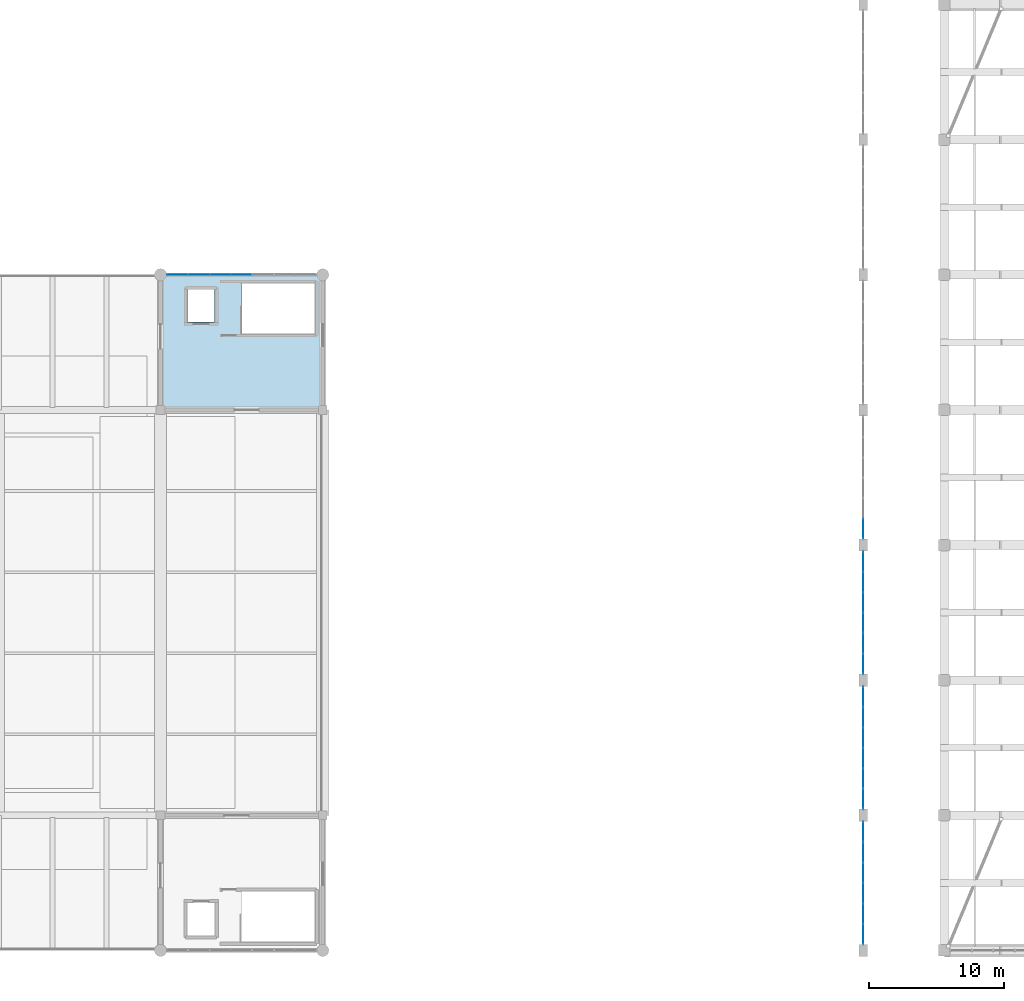
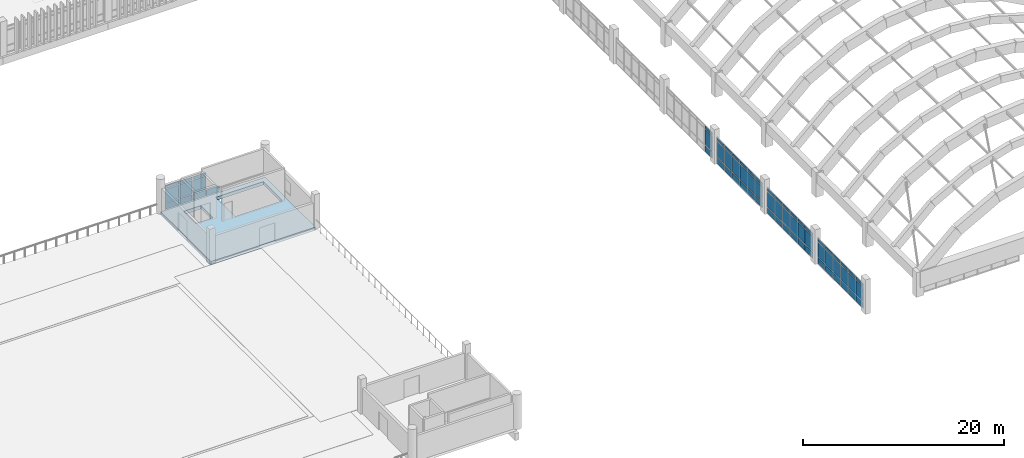
# One storey, part 91 of 111: 67 plates, 1 slab, 5 elements without a shape of their own.
"""IFC4 building model written with IfcOpenShell, lengths in metres."""

from ifc_helpers import new_model, si_unit, direction, frame, origin, origin_2d, place, context, subcontext, project, spatial, polyline, rectangle, outline, extrude, material, layer, layer_set, type_object, element, aggregate, save


model = new_model("IFC4")

# Units and contexts
model_context = context("Model", 3, precision=1e-05, world=origin(), true_north=direction((0.0, 1.0)))
body_context = subcontext(model_context, "Body", "Model", "MODEL_VIEW")
ifc_project = project(units=[si_unit("LENGTHUNIT", "METRE"), si_unit("AREAUNIT", "SQUARE_METRE"), si_unit("VOLUMEUNIT", "CUBIC_METRE"), si_unit("PLANEANGLEUNIT", "RADIAN"), si_unit("MASSUNIT", "GRAM", prefix="KILO")], contexts=[model_context])

# Site, building, storey
site_placement = place(None, origin())
site = spatial("IfcSite", under=ifc_project, at=site_placement, CompositionType="ELEMENT")
building_placement = place(site_placement, origin())
building = spatial("IfcBuilding", under=site, at=building_placement, Name="Mersad Railyard Sports Hall", CompositionType="ELEMENT")
storey_placement = place(building_placement, frame((0.0, 0.0, 9.0)))
storey = spatial("IfcBuildingStorey", under=building, at=storey_placement, Name="L02", CompositionType="ELEMENT", Elevation=9.0)

# Curtain wall, plates
ifc_material_1 = material(Name="Aluminium 6063-T6", Category="aluminium")
ifc_layer_1 = layer(ifc_material_1, 0.159912109375)
ifc_layer_set_1 = layer_set([ifc_layer_1], Name="Aluminium 6063-T6")
curtain_wall_type_1 = type_object("IfcCurtainWallType", Name="ARC-CW-CW06", PredefinedType="USERDEFINED", material=ifc_layer_set_1)
curtain_wall_1_placement = place(storey_placement, origin())
curtain_wall_1 = element("IfcCurtainWall", 1, at=curtain_wall_1_placement, inside=storey, type_object=curtain_wall_type_1, Name="Curtain wall CW06-0032", ObjectType="CURTAIN WALL", PredefinedType="USERDEFINED")
ifc_material_2 = material(Name="Solar-control glass", Category="glass")
ifc_layer_2 = layer(ifc_material_2, 0.028076171875)
ifc_layer_set_2 = layer_set([ifc_layer_2], Name="Solar-control glass")
plate_type = type_object("IfcPlateType", Name="ARC-CW-PNL01", PredefinedType="CURTAIN_PANEL", material=ifc_layer_set_2)
plate_1_placement = place(storey_placement, frame((80.260009765625, 53.5, 0.0849609375), z_axis=(0.0, 0.0, 1.0), x_axis=(1.0, 0.0, 0.0)))
plate_1 = element("IfcPlate", 2, at=plate_1_placement, type_object=plate_type, Name="CW06 Glazed panel 1-1", PredefinedType="CURTAIN_PANEL", context=body_context, shape_type="SweptSolid", body=[
    extrude(rectangle(XDim=1.535888671875, YDim=0.028076171875, at=origin_2d()), origin(), (0.0, 0.0, 1.0), 0.719970703125),
])
plate_2_placement = place(storey_placement, frame((80.260009765625, 53.5, 0.89501953125), z_axis=(0.0, 0.0, 1.0), x_axis=(1.0, 0.0, 0.0)))
plate_2 = element("IfcPlate", 3, at=plate_2_placement, type_object=plate_type, Name="CW06 Glazed panel 1-2", PredefinedType="CURTAIN_PANEL", context=body_context, shape_type="SweptSolid", body=[
    extrude(rectangle(XDim=1.535888671875, YDim=0.028076171875, at=origin_2d()), origin(), (0.0, 0.0, 1.0), 1.610107421875),
])
plate_3_placement = place(storey_placement, frame((80.260009765625, 53.5, 2.594970703125), z_axis=(0.0, 0.0, 1.0), x_axis=(1.0, 0.0, 0.0)))
plate_3 = element("IfcPlate", 4, at=plate_3_placement, type_object=plate_type, Name="CW06 Glazed panel 1-3", PredefinedType="CURTAIN_PANEL", context=body_context, shape_type="SweptSolid", body=[
    extrude(rectangle(XDim=1.535888671875, YDim=0.028076171875, at=origin_2d()), origin(), (0.0, 0.0, 1.0), 0.35009765625),
])
plate_4_placement = place(storey_placement, frame((81.840087890625, 53.5, 0.0849609375), z_axis=(0.0, 0.0, 1.0), x_axis=(1.0, 0.0, 0.0)))
plate_4 = element("IfcPlate", 5, at=plate_4_placement, type_object=plate_type, Name="CW06 Glazed panel 2-1", PredefinedType="CURTAIN_PANEL", context=body_context, shape_type="SweptSolid", body=[
    extrude(rectangle(XDim=1.535888671875, YDim=0.028076171875, at=origin_2d()), origin(), (0.0, 0.0, 1.0), 0.719970703125),
])
plate_5_placement = place(storey_placement, frame((81.840087890625, 53.5, 0.89501953125), z_axis=(0.0, 0.0, 1.0), x_axis=(1.0, 0.0, 0.0)))
plate_5 = element("IfcPlate", 6, at=plate_5_placement, type_object=plate_type, Name="CW06 Glazed panel 2-2", PredefinedType="CURTAIN_PANEL", context=body_context, shape_type="SweptSolid", body=[
    extrude(rectangle(XDim=1.535888671875, YDim=0.028076171875, at=origin_2d()), origin(), (0.0, 0.0, 1.0), 1.610107421875),
])
plate_6_placement = place(storey_placement, frame((81.840087890625, 53.5, 2.594970703125), z_axis=(0.0, 0.0, 1.0), x_axis=(1.0, 0.0, 0.0)))
plate_6 = element("IfcPlate", 7, at=plate_6_placement, type_object=plate_type, Name="CW06 Glazed panel 2-3", PredefinedType="CURTAIN_PANEL", context=body_context, shape_type="SweptSolid", body=[
    extrude(rectangle(XDim=1.535888671875, YDim=0.028076171875, at=origin_2d()), origin(), (0.0, 0.0, 1.0), 0.35009765625),
])
plate_7_placement = place(storey_placement, frame((83.419921875, 53.5, 0.0849609375), z_axis=(0.0, 0.0, 1.0), x_axis=(1.0, 0.0, 0.0)))
plate_7 = element("IfcPlate", 8, at=plate_7_placement, type_object=plate_type, Name="CW06 Glazed panel 3-1", PredefinedType="CURTAIN_PANEL", context=body_context, shape_type="SweptSolid", body=[
    extrude(rectangle(XDim=1.535888671875, YDim=0.028076171875, at=origin_2d()), origin(), (0.0, 0.0, 1.0), 0.719970703125),
])
plate_8_placement = place(storey_placement, frame((83.419921875, 53.5, 0.89501953125), z_axis=(0.0, 0.0, 1.0), x_axis=(1.0, 0.0, 0.0)))
plate_8 = element("IfcPlate", 9, at=plate_8_placement, type_object=plate_type, Name="CW06 Glazed panel 3-2", PredefinedType="CURTAIN_PANEL", context=body_context, shape_type="SweptSolid", body=[
    extrude(rectangle(XDim=1.535888671875, YDim=0.028076171875, at=origin_2d()), origin(), (0.0, 0.0, 1.0), 1.610107421875),
])
plate_9_placement = place(storey_placement, frame((83.419921875, 53.5, 2.594970703125), z_axis=(0.0, 0.0, 1.0), x_axis=(1.0, 0.0, 0.0)))
plate_9 = element("IfcPlate", 10, at=plate_9_placement, type_object=plate_type, Name="CW06 Glazed panel 3-3", PredefinedType="CURTAIN_PANEL", context=body_context, shape_type="SweptSolid", body=[
    extrude(rectangle(XDim=1.535888671875, YDim=0.028076171875, at=origin_2d()), origin(), (0.0, 0.0, 1.0), 0.35009765625),
])
plate_10_placement = place(storey_placement, frame((85.0, 53.5, 0.0849609375), z_axis=(0.0, 0.0, 1.0), x_axis=(1.0, 0.0, 0.0)))
plate_10 = element("IfcPlate", 11, at=plate_10_placement, type_object=plate_type, Name="CW06 Glazed panel 4-1", PredefinedType="CURTAIN_PANEL", context=body_context, shape_type="SweptSolid", body=[
    extrude(rectangle(XDim=1.535888671875, YDim=0.028076171875, at=origin_2d()), origin(), (0.0, 0.0, 1.0), 0.719970703125),
])
aggregate(curtain_wall_1, [plate_1, plate_2, plate_3, plate_4, plate_5, plate_6, plate_7, plate_8, plate_9, plate_10])

ifc_layer_3 = layer(ifc_material_1, 0.159912109375)
ifc_layer_set_3 = layer_set([ifc_layer_3], Name="Aluminium 6063-T6")
curtain_wall_type_2 = type_object("IfcCurtainWallType", Name="ARC-CW-CW15", PredefinedType="USERDEFINED", material=ifc_layer_set_3)
curtain_wall_2_placement = place(storey_placement, origin())
curtain_wall_2 = element("IfcCurtainWall", 12, at=curtain_wall_2_placement, inside=storey, type_object=curtain_wall_type_2, Name="Curtain wall CW15-0065", ObjectType="CURTAIN WALL", PredefinedType="USERDEFINED")
plate_11_placement = place(storey_placement, frame((131.0, 4.72509765625, 0.0849609375), z_axis=(0.0, 0.0, 1.0), x_axis=(0.0, 1.0, 0.0)))
plate_11 = element("IfcPlate", 13, at=plate_11_placement, type_object=plate_type, Name="CW15 Glazed panel 1-1", PredefinedType="CURTAIN_PANEL", context=body_context, shape_type="SweptSolid", body=[
    extrude(rectangle(XDim=1.466064453125, YDim=0.028076171875, at=origin_2d()), origin(), (0.0, 0.0, 1.0), 0.719970703125),
])
plate_12_placement = place(storey_placement, frame((131.0, 4.72509765625, 0.89501953125), z_axis=(0.0, 0.0, 1.0), x_axis=(0.0, 1.0, 0.0)))
plate_12 = element("IfcPlate", 14, at=plate_12_placement, type_object=plate_type, Name="CW15 Glazed panel 1-2", PredefinedType="CURTAIN_PANEL", context=body_context, shape_type="SweptSolid", body=[
    extrude(rectangle(XDim=1.466064453125, YDim=0.028076171875, at=origin_2d()), origin(), (0.0, 0.0, 1.0), 1.760009765625),
])
plate_13_placement = place(storey_placement, frame((131.0, 4.72509765625, 2.744873046875), z_axis=(0.0, 0.0, 1.0), x_axis=(0.0, 1.0, 0.0)))
plate_13 = element("IfcPlate", 15, at=plate_13_placement, type_object=plate_type, Name="CW15 Glazed panel 1-3", PredefinedType="CURTAIN_PANEL", context=body_context, shape_type="SweptSolid", body=[
    extrude(rectangle(XDim=1.466064453125, YDim=0.028076171875, at=origin_2d()), origin(), (0.0, 0.0, 1.0), 0.35009765625),
])
plate_14_placement = place(storey_placement, frame((131.0, 6.235107421875, 0.0849609375), z_axis=(0.0, 0.0, 1.0), x_axis=(0.0, 1.0, 0.0)))
plate_14 = element("IfcPlate", 16, at=plate_14_placement, type_object=plate_type, Name="CW15 Glazed panel 2-1", PredefinedType="CURTAIN_PANEL", context=body_context, shape_type="SweptSolid", body=[
    extrude(rectangle(XDim=1.466064453125, YDim=0.028076171875, at=origin_2d()), origin(), (0.0, 0.0, 1.0), 0.719970703125),
])
plate_15_placement = place(storey_placement, frame((131.0, 6.235107421875, 0.89501953125), z_axis=(0.0, 0.0, 1.0), x_axis=(0.0, 1.0, 0.0)))
plate_15 = element("IfcPlate", 17, at=plate_15_placement, type_object=plate_type, Name="CW15 Glazed panel 2-2", PredefinedType="CURTAIN_PANEL", context=body_context, shape_type="SweptSolid", body=[
    extrude(rectangle(XDim=1.466064453125, YDim=0.028076171875, at=origin_2d()), origin(), (0.0, 0.0, 1.0), 1.760009765625),
])
plate_16_placement = place(storey_placement, frame((131.0, 6.235107421875, 2.744873046875), z_axis=(0.0, 0.0, 1.0), x_axis=(0.0, 1.0, 0.0)))
plate_16 = element("IfcPlate", 18, at=plate_16_placement, type_object=plate_type, Name="CW15 Glazed panel 2-3", PredefinedType="CURTAIN_PANEL", context=body_context, shape_type="SweptSolid", body=[
    extrude(rectangle(XDim=1.466064453125, YDim=0.028076171875, at=origin_2d()), origin(), (0.0, 0.0, 1.0), 0.35009765625),
])
plate_17_placement = place(storey_placement, frame((131.0, 7.7451171875, 0.0849609375), z_axis=(0.0, 0.0, 1.0), x_axis=(0.0, 1.0, 0.0)))
plate_17 = element("IfcPlate", 19, at=plate_17_placement, type_object=plate_type, Name="CW15 Glazed panel 3-1", PredefinedType="CURTAIN_PANEL", context=body_context, shape_type="SweptSolid", body=[
    extrude(rectangle(XDim=1.466064453125, YDim=0.028076171875, at=origin_2d()), origin(), (0.0, 0.0, 1.0), 0.719970703125),
])
plate_18_placement = place(storey_placement, frame((131.0, 7.7451171875, 0.89501953125), z_axis=(0.0, 0.0, 1.0), x_axis=(0.0, 1.0, 0.0)))
plate_18 = element("IfcPlate", 20, at=plate_18_placement, type_object=plate_type, Name="CW15 Glazed panel 3-2", PredefinedType="CURTAIN_PANEL", context=body_context, shape_type="SweptSolid", body=[
    extrude(rectangle(XDim=1.466064453125, YDim=0.028076171875, at=origin_2d()), origin(), (0.0, 0.0, 1.0), 1.760009765625),
])
plate_19_placement = place(storey_placement, frame((131.0, 7.7451171875, 2.744873046875), z_axis=(0.0, 0.0, 1.0), x_axis=(0.0, 1.0, 0.0)))
plate_19 = element("IfcPlate", 21, at=plate_19_placement, type_object=plate_type, Name="CW15 Glazed panel 3-3", PredefinedType="CURTAIN_PANEL", context=body_context, shape_type="SweptSolid", body=[
    extrude(rectangle(XDim=1.466064453125, YDim=0.028076171875, at=origin_2d()), origin(), (0.0, 0.0, 1.0), 0.35009765625),
])
plate_20_placement = place(storey_placement, frame((131.0, 9.2548828125, 0.0849609375), z_axis=(0.0, 0.0, 1.0), x_axis=(0.0, 1.0, 0.0)))
plate_20 = element("IfcPlate", 22, at=plate_20_placement, type_object=plate_type, Name="CW15 Glazed panel 4-1", PredefinedType="CURTAIN_PANEL", context=body_context, shape_type="SweptSolid", body=[
    extrude(rectangle(XDim=1.466064453125, YDim=0.028076171875, at=origin_2d()), origin(), (0.0, 0.0, 1.0), 0.719970703125),
])
plate_21_placement = place(storey_placement, frame((131.0, 9.2548828125, 0.89501953125), z_axis=(0.0, 0.0, 1.0), x_axis=(0.0, 1.0, 0.0)))
plate_21 = element("IfcPlate", 23, at=plate_21_placement, type_object=plate_type, Name="CW15 Glazed panel 4-2", PredefinedType="CURTAIN_PANEL", context=body_context, shape_type="SweptSolid", body=[
    extrude(rectangle(XDim=1.466064453125, YDim=0.028076171875, at=origin_2d()), origin(), (0.0, 0.0, 1.0), 1.760009765625),
])
plate_22_placement = place(storey_placement, frame((131.0, 9.2548828125, 2.744873046875), z_axis=(0.0, 0.0, 1.0), x_axis=(0.0, 1.0, 0.0)))
plate_22 = element("IfcPlate", 24, at=plate_22_placement, type_object=plate_type, Name="CW15 Glazed panel 4-3", PredefinedType="CURTAIN_PANEL", context=body_context, shape_type="SweptSolid", body=[
    extrude(rectangle(XDim=1.466064453125, YDim=0.028076171875, at=origin_2d()), origin(), (0.0, 0.0, 1.0), 0.35009765625),
])
plate_23_placement = place(storey_placement, frame((131.0, 10.764892578125, 0.0849609375), z_axis=(0.0, 0.0, 1.0), x_axis=(0.0, 1.0, 0.0)))
plate_23 = element("IfcPlate", 25, at=plate_23_placement, type_object=plate_type, Name="CW15 Glazed panel 5-1", PredefinedType="CURTAIN_PANEL", context=body_context, shape_type="SweptSolid", body=[
    extrude(rectangle(XDim=1.466064453125, YDim=0.028076171875, at=origin_2d()), origin(), (0.0, 0.0, 1.0), 0.719970703125),
])
plate_24_placement = place(storey_placement, frame((131.0, 10.764892578125, 0.89501953125), z_axis=(0.0, 0.0, 1.0), x_axis=(0.0, 1.0, 0.0)))
plate_24 = element("IfcPlate", 26, at=plate_24_placement, type_object=plate_type, Name="CW15 Glazed panel 5-2", PredefinedType="CURTAIN_PANEL", context=body_context, shape_type="SweptSolid", body=[
    extrude(rectangle(XDim=1.466064453125, YDim=0.028076171875, at=origin_2d()), origin(), (0.0, 0.0, 1.0), 1.760009765625),
])
plate_25_placement = place(storey_placement, frame((131.0, 10.764892578125, 2.744873046875), z_axis=(0.0, 0.0, 1.0), x_axis=(0.0, 1.0, 0.0)))
plate_25 = element("IfcPlate", 27, at=plate_25_placement, type_object=plate_type, Name="CW15 Glazed panel 5-3", PredefinedType="CURTAIN_PANEL", context=body_context, shape_type="SweptSolid", body=[
    extrude(rectangle(XDim=1.466064453125, YDim=0.028076171875, at=origin_2d()), origin(), (0.0, 0.0, 1.0), 0.35009765625),
])
plate_26_placement = place(storey_placement, frame((131.0, 12.27490234375, 0.0849609375), z_axis=(0.0, 0.0, 1.0), x_axis=(0.0, 1.0, 0.0)))
plate_26 = element("IfcPlate", 28, at=plate_26_placement, type_object=plate_type, Name="CW15 Glazed panel 6-1", PredefinedType="CURTAIN_PANEL", context=body_context, shape_type="SweptSolid", body=[
    extrude(rectangle(XDim=1.466064453125, YDim=0.028076171875, at=origin_2d()), origin(), (0.0, 0.0, 1.0), 0.719970703125),
])
plate_27_placement = place(storey_placement, frame((131.0, 12.27490234375, 0.89501953125), z_axis=(0.0, 0.0, 1.0), x_axis=(0.0, 1.0, 0.0)))
plate_27 = element("IfcPlate", 29, at=plate_27_placement, type_object=plate_type, Name="CW15 Glazed panel 6-2", PredefinedType="CURTAIN_PANEL", context=body_context, shape_type="SweptSolid", body=[
    extrude(rectangle(XDim=1.466064453125, YDim=0.028076171875, at=origin_2d()), origin(), (0.0, 0.0, 1.0), 1.760009765625),
])
plate_28_placement = place(storey_placement, frame((131.0, 12.27490234375, 2.744873046875), z_axis=(0.0, 0.0, 1.0), x_axis=(0.0, 1.0, 0.0)))
plate_28 = element("IfcPlate", 30, at=plate_28_placement, type_object=plate_type, Name="CW15 Glazed panel 6-3", PredefinedType="CURTAIN_PANEL", context=body_context, shape_type="SweptSolid", body=[
    extrude(rectangle(XDim=1.466064453125, YDim=0.028076171875, at=origin_2d()), origin(), (0.0, 0.0, 1.0), 0.35009765625),
])
aggregate(curtain_wall_2, [plate_11, plate_12, plate_13, plate_14, plate_15, plate_16, plate_17, plate_18, plate_19, plate_20, plate_21, plate_22, plate_23, plate_24, plate_25, plate_26, plate_27, plate_28])

ifc_layer_4 = layer(ifc_material_1, 0.159912109375)
ifc_layer_set_4 = layer_set([ifc_layer_4], Name="Aluminium 6063-T6")
curtain_wall_type_3 = type_object("IfcCurtainWallType", Name="ARC-CW-CW16", PredefinedType="USERDEFINED", material=ifc_layer_set_4)
curtain_wall_3_placement = place(storey_placement, origin())
curtain_wall_3 = element("IfcCurtainWall", 31, at=curtain_wall_3_placement, inside=storey, type_object=curtain_wall_type_3, Name="Curtain wall CW16-0067", ObjectType="CURTAIN WALL", PredefinedType="USERDEFINED")
plate_29_placement = place(storey_placement, frame((131.0, 14.72509765625, 0.0849609375), z_axis=(0.0, 0.0, 1.0), x_axis=(0.0, 1.0, 0.0)))
plate_29 = element("IfcPlate", 32, at=plate_29_placement, type_object=plate_type, Name="CW16 Glazed panel 1-1", PredefinedType="CURTAIN_PANEL", context=body_context, shape_type="SweptSolid", body=[
    extrude(rectangle(XDim=1.466064453125, YDim=0.028076171875, at=origin_2d()), origin(), (0.0, 0.0, 1.0), 0.719970703125),
])
plate_30_placement = place(storey_placement, frame((131.0, 14.72509765625, 0.89501953125), z_axis=(0.0, 0.0, 1.0), x_axis=(0.0, 1.0, 0.0)))
plate_30 = element("IfcPlate", 33, at=plate_30_placement, type_object=plate_type, Name="CW16 Glazed panel 1-2", PredefinedType="CURTAIN_PANEL", context=body_context, shape_type="SweptSolid", body=[
    extrude(rectangle(XDim=1.466064453125, YDim=0.028076171875, at=origin_2d()), origin(), (0.0, 0.0, 1.0), 1.800048828125),
])
plate_31_placement = place(storey_placement, frame((131.0, 14.72509765625, 2.784912109375), z_axis=(0.0, 0.0, 1.0), x_axis=(0.0, 1.0, 0.0)))
plate_31 = element("IfcPlate", 34, at=plate_31_placement, type_object=plate_type, Name="CW16 Glazed panel 1-3", PredefinedType="CURTAIN_PANEL", context=body_context, shape_type="SweptSolid", body=[
    extrude(rectangle(XDim=1.466064453125, YDim=0.028076171875, at=origin_2d()), origin(), (0.0, 0.0, 1.0), 0.35009765625),
])
plate_32_placement = place(storey_placement, frame((131.0, 16.235107421875, 0.0849609375), z_axis=(0.0, 0.0, 1.0), x_axis=(0.0, 1.0, 0.0)))
plate_32 = element("IfcPlate", 35, at=plate_32_placement, type_object=plate_type, Name="CW16 Glazed panel 2-1", PredefinedType="CURTAIN_PANEL", context=body_context, shape_type="SweptSolid", body=[
    extrude(rectangle(XDim=1.466064453125, YDim=0.028076171875, at=origin_2d()), origin(), (0.0, 0.0, 1.0), 0.719970703125),
])
plate_33_placement = place(storey_placement, frame((131.0, 16.235107421875, 0.89501953125), z_axis=(0.0, 0.0, 1.0), x_axis=(0.0, 1.0, 0.0)))
plate_33 = element("IfcPlate", 36, at=plate_33_placement, type_object=plate_type, Name="CW16 Glazed panel 2-2", PredefinedType="CURTAIN_PANEL", context=body_context, shape_type="SweptSolid", body=[
    extrude(rectangle(XDim=1.466064453125, YDim=0.028076171875, at=origin_2d()), origin(), (0.0, 0.0, 1.0), 1.800048828125),
])
plate_34_placement = place(storey_placement, frame((131.0, 16.235107421875, 2.784912109375), z_axis=(0.0, 0.0, 1.0), x_axis=(0.0, 1.0, 0.0)))
plate_34 = element("IfcPlate", 37, at=plate_34_placement, type_object=plate_type, Name="CW16 Glazed panel 2-3", PredefinedType="CURTAIN_PANEL", context=body_context, shape_type="SweptSolid", body=[
    extrude(rectangle(XDim=1.466064453125, YDim=0.028076171875, at=origin_2d()), origin(), (0.0, 0.0, 1.0), 0.35009765625),
])
plate_35_placement = place(storey_placement, frame((131.0, 17.7451171875, 0.0849609375), z_axis=(0.0, 0.0, 1.0), x_axis=(0.0, 1.0, 0.0)))
plate_35 = element("IfcPlate", 38, at=plate_35_placement, type_object=plate_type, Name="CW16 Glazed panel 3-1", PredefinedType="CURTAIN_PANEL", context=body_context, shape_type="SweptSolid", body=[
    extrude(rectangle(XDim=1.466064453125, YDim=0.028076171875, at=origin_2d()), origin(), (0.0, 0.0, 1.0), 0.719970703125),
])
plate_36_placement = place(storey_placement, frame((131.0, 17.7451171875, 0.89501953125), z_axis=(0.0, 0.0, 1.0), x_axis=(0.0, 1.0, 0.0)))
plate_36 = element("IfcPlate", 39, at=plate_36_placement, type_object=plate_type, Name="CW16 Glazed panel 3-2", PredefinedType="CURTAIN_PANEL", context=body_context, shape_type="SweptSolid", body=[
    extrude(rectangle(XDim=1.466064453125, YDim=0.028076171875, at=origin_2d()), origin(), (0.0, 0.0, 1.0), 1.800048828125),
])
plate_37_placement = place(storey_placement, frame((131.0, 17.7451171875, 2.784912109375), z_axis=(0.0, 0.0, 1.0), x_axis=(0.0, 1.0, 0.0)))
plate_37 = element("IfcPlate", 40, at=plate_37_placement, type_object=plate_type, Name="CW16 Glazed panel 3-3", PredefinedType="CURTAIN_PANEL", context=body_context, shape_type="SweptSolid", body=[
    extrude(rectangle(XDim=1.466064453125, YDim=0.028076171875, at=origin_2d()), origin(), (0.0, 0.0, 1.0), 0.35009765625),
])
plate_38_placement = place(storey_placement, frame((131.0, 19.2548828125, 0.0849609375), z_axis=(0.0, 0.0, 1.0), x_axis=(0.0, 1.0, 0.0)))
plate_38 = element("IfcPlate", 41, at=plate_38_placement, type_object=plate_type, Name="CW16 Glazed panel 4-1", PredefinedType="CURTAIN_PANEL", context=body_context, shape_type="SweptSolid", body=[
    extrude(rectangle(XDim=1.466064453125, YDim=0.028076171875, at=origin_2d()), origin(), (0.0, 0.0, 1.0), 0.719970703125),
])
plate_39_placement = place(storey_placement, frame((131.0, 19.2548828125, 0.89501953125), z_axis=(0.0, 0.0, 1.0), x_axis=(0.0, 1.0, 0.0)))
plate_39 = element("IfcPlate", 42, at=plate_39_placement, type_object=plate_type, Name="CW16 Glazed panel 4-2", PredefinedType="CURTAIN_PANEL", context=body_context, shape_type="SweptSolid", body=[
    extrude(rectangle(XDim=1.466064453125, YDim=0.028076171875, at=origin_2d()), origin(), (0.0, 0.0, 1.0), 1.800048828125),
])
plate_40_placement = place(storey_placement, frame((131.0, 19.2548828125, 2.784912109375), z_axis=(0.0, 0.0, 1.0), x_axis=(0.0, 1.0, 0.0)))
plate_40 = element("IfcPlate", 43, at=plate_40_placement, type_object=plate_type, Name="CW16 Glazed panel 4-3", PredefinedType="CURTAIN_PANEL", context=body_context, shape_type="SweptSolid", body=[
    extrude(rectangle(XDim=1.466064453125, YDim=0.028076171875, at=origin_2d()), origin(), (0.0, 0.0, 1.0), 0.35009765625),
])
plate_41_placement = place(storey_placement, frame((131.0, 20.764892578125, 0.0849609375), z_axis=(0.0, 0.0, 1.0), x_axis=(0.0, 1.0, 0.0)))
plate_41 = element("IfcPlate", 44, at=plate_41_placement, type_object=plate_type, Name="CW16 Glazed panel 5-1", PredefinedType="CURTAIN_PANEL", context=body_context, shape_type="SweptSolid", body=[
    extrude(rectangle(XDim=1.466064453125, YDim=0.028076171875, at=origin_2d()), origin(), (0.0, 0.0, 1.0), 0.719970703125),
])
plate_42_placement = place(storey_placement, frame((131.0, 20.764892578125, 0.89501953125), z_axis=(0.0, 0.0, 1.0), x_axis=(0.0, 1.0, 0.0)))
plate_42 = element("IfcPlate", 45, at=plate_42_placement, type_object=plate_type, Name="CW16 Glazed panel 5-2", PredefinedType="CURTAIN_PANEL", context=body_context, shape_type="SweptSolid", body=[
    extrude(rectangle(XDim=1.466064453125, YDim=0.028076171875, at=origin_2d()), origin(), (0.0, 0.0, 1.0), 1.800048828125),
])
plate_43_placement = place(storey_placement, frame((131.0, 20.764892578125, 2.784912109375), z_axis=(0.0, 0.0, 1.0), x_axis=(0.0, 1.0, 0.0)))
plate_43 = element("IfcPlate", 46, at=plate_43_placement, type_object=plate_type, Name="CW16 Glazed panel 5-3", PredefinedType="CURTAIN_PANEL", context=body_context, shape_type="SweptSolid", body=[
    extrude(rectangle(XDim=1.466064453125, YDim=0.028076171875, at=origin_2d()), origin(), (0.0, 0.0, 1.0), 0.35009765625),
])
plate_44_placement = place(storey_placement, frame((131.0, 22.27490234375, 0.0849609375), z_axis=(0.0, 0.0, 1.0), x_axis=(0.0, 1.0, 0.0)))
plate_44 = element("IfcPlate", 47, at=plate_44_placement, type_object=plate_type, Name="CW16 Glazed panel 6-1", PredefinedType="CURTAIN_PANEL", context=body_context, shape_type="SweptSolid", body=[
    extrude(rectangle(XDim=1.466064453125, YDim=0.028076171875, at=origin_2d()), origin(), (0.0, 0.0, 1.0), 0.719970703125),
])
plate_45_placement = place(storey_placement, frame((131.0, 22.27490234375, 0.89501953125), z_axis=(0.0, 0.0, 1.0), x_axis=(0.0, 1.0, 0.0)))
plate_45 = element("IfcPlate", 48, at=plate_45_placement, type_object=plate_type, Name="CW16 Glazed panel 6-2", PredefinedType="CURTAIN_PANEL", context=body_context, shape_type="SweptSolid", body=[
    extrude(rectangle(XDim=1.466064453125, YDim=0.028076171875, at=origin_2d()), origin(), (0.0, 0.0, 1.0), 1.800048828125),
])
plate_46_placement = place(storey_placement, frame((131.0, 22.27490234375, 2.784912109375), z_axis=(0.0, 0.0, 1.0), x_axis=(0.0, 1.0, 0.0)))
plate_46 = element("IfcPlate", 49, at=plate_46_placement, type_object=plate_type, Name="CW16 Glazed panel 6-3", PredefinedType="CURTAIN_PANEL", context=body_context, shape_type="SweptSolid", body=[
    extrude(rectangle(XDim=1.466064453125, YDim=0.028076171875, at=origin_2d()), origin(), (0.0, 0.0, 1.0), 0.35009765625),
])
aggregate(curtain_wall_3, [plate_29, plate_30, plate_31, plate_32, plate_33, plate_34, plate_35, plate_36, plate_37, plate_38, plate_39, plate_40, plate_41, plate_42, plate_43, plate_44, plate_45, plate_46])

ifc_layer_5 = layer(ifc_material_1, 0.159912109375)
ifc_layer_set_5 = layer_set([ifc_layer_5], Name="Aluminium 6063-T6")
curtain_wall_type_4 = type_object("IfcCurtainWallType", Name="ARC-CW-CW17", PredefinedType="USERDEFINED", material=ifc_layer_set_5)
curtain_wall_4_placement = place(storey_placement, origin())
curtain_wall_4 = element("IfcCurtainWall", 50, at=curtain_wall_4_placement, inside=storey, type_object=curtain_wall_type_4, Name="Curtain wall CW17-0069", ObjectType="CURTAIN WALL", PredefinedType="USERDEFINED")
plate_47_placement = place(storey_placement, frame((131.0, 24.72509765625, 0.0849609375), z_axis=(0.0, 0.0, 1.0), x_axis=(0.0, 1.0, 0.0)))
plate_47 = element("IfcPlate", 51, at=plate_47_placement, type_object=plate_type, Name="CW17 Glazed panel 1-1", PredefinedType="CURTAIN_PANEL", context=body_context, shape_type="SweptSolid", body=[
    extrude(rectangle(XDim=1.466064453125, YDim=0.028076171875, at=origin_2d()), origin(), (0.0, 0.0, 1.0), 0.719970703125),
])
plate_48_placement = place(storey_placement, frame((131.0, 24.72509765625, 0.89501953125), z_axis=(0.0, 0.0, 1.0), x_axis=(0.0, 1.0, 0.0)))
plate_48 = element("IfcPlate", 52, at=plate_48_placement, type_object=plate_type, Name="CW17 Glazed panel 1-2", PredefinedType="CURTAIN_PANEL", context=body_context, shape_type="SweptSolid", body=[
    extrude(rectangle(XDim=1.466064453125, YDim=0.028076171875, at=origin_2d()), origin(), (0.0, 0.0, 1.0), 1.840087890625),
])
plate_49_placement = place(storey_placement, frame((131.0, 24.72509765625, 2.824951171875), z_axis=(0.0, 0.0, 1.0), x_axis=(0.0, 1.0, 0.0)))
plate_49 = element("IfcPlate", 53, at=plate_49_placement, type_object=plate_type, Name="CW17 Glazed panel 1-3", PredefinedType="CURTAIN_PANEL", context=body_context, shape_type="SweptSolid", body=[
    extrude(rectangle(XDim=1.466064453125, YDim=0.028076171875, at=origin_2d()), origin(), (0.0, 0.0, 1.0), 0.35009765625),
])
plate_50_placement = place(storey_placement, frame((131.0, 26.235107421875, 0.0849609375), z_axis=(0.0, 0.0, 1.0), x_axis=(0.0, 1.0, 0.0)))
plate_50 = element("IfcPlate", 54, at=plate_50_placement, type_object=plate_type, Name="CW17 Glazed panel 2-1", PredefinedType="CURTAIN_PANEL", context=body_context, shape_type="SweptSolid", body=[
    extrude(rectangle(XDim=1.466064453125, YDim=0.028076171875, at=origin_2d()), origin(), (0.0, 0.0, 1.0), 0.719970703125),
])
plate_51_placement = place(storey_placement, frame((131.0, 26.235107421875, 0.89501953125), z_axis=(0.0, 0.0, 1.0), x_axis=(0.0, 1.0, 0.0)))
plate_51 = element("IfcPlate", 55, at=plate_51_placement, type_object=plate_type, Name="CW17 Glazed panel 2-2", PredefinedType="CURTAIN_PANEL", context=body_context, shape_type="SweptSolid", body=[
    extrude(rectangle(XDim=1.466064453125, YDim=0.028076171875, at=origin_2d()), origin(), (0.0, 0.0, 1.0), 1.840087890625),
])
plate_52_placement = place(storey_placement, frame((131.0, 26.235107421875, 2.824951171875), z_axis=(0.0, 0.0, 1.0), x_axis=(0.0, 1.0, 0.0)))
plate_52 = element("IfcPlate", 56, at=plate_52_placement, type_object=plate_type, Name="CW17 Glazed panel 2-3", PredefinedType="CURTAIN_PANEL", context=body_context, shape_type="SweptSolid", body=[
    extrude(rectangle(XDim=1.466064453125, YDim=0.028076171875, at=origin_2d()), origin(), (0.0, 0.0, 1.0), 0.35009765625),
])
plate_53_placement = place(storey_placement, frame((131.0, 27.7451171875, 0.0849609375), z_axis=(0.0, 0.0, 1.0), x_axis=(0.0, 1.0, 0.0)))
plate_53 = element("IfcPlate", 57, at=plate_53_placement, type_object=plate_type, Name="CW17 Glazed panel 3-1", PredefinedType="CURTAIN_PANEL", context=body_context, shape_type="SweptSolid", body=[
    extrude(rectangle(XDim=1.466064453125, YDim=0.028076171875, at=origin_2d()), origin(), (0.0, 0.0, 1.0), 0.719970703125),
])
plate_54_placement = place(storey_placement, frame((131.0, 27.7451171875, 0.89501953125), z_axis=(0.0, 0.0, 1.0), x_axis=(0.0, 1.0, 0.0)))
plate_54 = element("IfcPlate", 58, at=plate_54_placement, type_object=plate_type, Name="CW17 Glazed panel 3-2", PredefinedType="CURTAIN_PANEL", context=body_context, shape_type="SweptSolid", body=[
    extrude(rectangle(XDim=1.466064453125, YDim=0.028076171875, at=origin_2d()), origin(), (0.0, 0.0, 1.0), 1.840087890625),
])
plate_55_placement = place(storey_placement, frame((131.0, 27.7451171875, 2.824951171875), z_axis=(0.0, 0.0, 1.0), x_axis=(0.0, 1.0, 0.0)))
plate_55 = element("IfcPlate", 59, at=plate_55_placement, type_object=plate_type, Name="CW17 Glazed panel 3-3", PredefinedType="CURTAIN_PANEL", context=body_context, shape_type="SweptSolid", body=[
    extrude(rectangle(XDim=1.466064453125, YDim=0.028076171875, at=origin_2d()), origin(), (0.0, 0.0, 1.0), 0.35009765625),
])
plate_56_placement = place(storey_placement, frame((131.0, 29.2548828125, 0.0849609375), z_axis=(0.0, 0.0, 1.0), x_axis=(0.0, 1.0, 0.0)))
plate_56 = element("IfcPlate", 60, at=plate_56_placement, type_object=plate_type, Name="CW17 Glazed panel 4-1", PredefinedType="CURTAIN_PANEL", context=body_context, shape_type="SweptSolid", body=[
    extrude(rectangle(XDim=1.466064453125, YDim=0.028076171875, at=origin_2d()), origin(), (0.0, 0.0, 1.0), 0.719970703125),
])
plate_57_placement = place(storey_placement, frame((131.0, 29.2548828125, 0.89501953125), z_axis=(0.0, 0.0, 1.0), x_axis=(0.0, 1.0, 0.0)))
plate_57 = element("IfcPlate", 61, at=plate_57_placement, type_object=plate_type, Name="CW17 Glazed panel 4-2", PredefinedType="CURTAIN_PANEL", context=body_context, shape_type="SweptSolid", body=[
    extrude(rectangle(XDim=1.466064453125, YDim=0.028076171875, at=origin_2d()), origin(), (0.0, 0.0, 1.0), 1.840087890625),
])
plate_58_placement = place(storey_placement, frame((131.0, 29.2548828125, 2.824951171875), z_axis=(0.0, 0.0, 1.0), x_axis=(0.0, 1.0, 0.0)))
plate_58 = element("IfcPlate", 62, at=plate_58_placement, type_object=plate_type, Name="CW17 Glazed panel 4-3", PredefinedType="CURTAIN_PANEL", context=body_context, shape_type="SweptSolid", body=[
    extrude(rectangle(XDim=1.466064453125, YDim=0.028076171875, at=origin_2d()), origin(), (0.0, 0.0, 1.0), 0.35009765625),
])
plate_59_placement = place(storey_placement, frame((131.0, 30.764892578125, 0.0849609375), z_axis=(0.0, 0.0, 1.0), x_axis=(0.0, 1.0, 0.0)))
plate_59 = element("IfcPlate", 63, at=plate_59_placement, type_object=plate_type, Name="CW17 Glazed panel 5-1", PredefinedType="CURTAIN_PANEL", context=body_context, shape_type="SweptSolid", body=[
    extrude(rectangle(XDim=1.466064453125, YDim=0.028076171875, at=origin_2d()), origin(), (0.0, 0.0, 1.0), 0.719970703125),
])
plate_60_placement = place(storey_placement, frame((131.0, 30.764892578125, 0.89501953125), z_axis=(0.0, 0.0, 1.0), x_axis=(0.0, 1.0, 0.0)))
plate_60 = element("IfcPlate", 64, at=plate_60_placement, type_object=plate_type, Name="CW17 Glazed panel 5-2", PredefinedType="CURTAIN_PANEL", context=body_context, shape_type="SweptSolid", body=[
    extrude(rectangle(XDim=1.466064453125, YDim=0.028076171875, at=origin_2d()), origin(), (0.0, 0.0, 1.0), 1.840087890625),
])
plate_61_placement = place(storey_placement, frame((131.0, 30.764892578125, 2.824951171875), z_axis=(0.0, 0.0, 1.0), x_axis=(0.0, 1.0, 0.0)))
plate_61 = element("IfcPlate", 65, at=plate_61_placement, type_object=plate_type, Name="CW17 Glazed panel 5-3", PredefinedType="CURTAIN_PANEL", context=body_context, shape_type="SweptSolid", body=[
    extrude(rectangle(XDim=1.466064453125, YDim=0.028076171875, at=origin_2d()), origin(), (0.0, 0.0, 1.0), 0.35009765625),
])
plate_62_placement = place(storey_placement, frame((131.0, 32.27490234375, 0.0849609375), z_axis=(0.0, 0.0, 1.0), x_axis=(0.0, 1.0, 0.0)))
plate_62 = element("IfcPlate", 66, at=plate_62_placement, type_object=plate_type, Name="CW17 Glazed panel 6-1", PredefinedType="CURTAIN_PANEL", context=body_context, shape_type="SweptSolid", body=[
    extrude(rectangle(XDim=1.466064453125, YDim=0.028076171875, at=origin_2d()), origin(), (0.0, 0.0, 1.0), 0.719970703125),
])
plate_63_placement = place(storey_placement, frame((131.0, 32.27490234375, 0.89501953125), z_axis=(0.0, 0.0, 1.0), x_axis=(0.0, 1.0, 0.0)))
plate_63 = element("IfcPlate", 67, at=plate_63_placement, type_object=plate_type, Name="CW17 Glazed panel 6-2", PredefinedType="CURTAIN_PANEL", context=body_context, shape_type="SweptSolid", body=[
    extrude(rectangle(XDim=1.466064453125, YDim=0.028076171875, at=origin_2d()), origin(), (0.0, 0.0, 1.0), 1.840087890625),
])
plate_64_placement = place(storey_placement, frame((131.0, 32.27490234375, 2.824951171875), z_axis=(0.0, 0.0, 1.0), x_axis=(0.0, 1.0, 0.0)))
plate_64 = element("IfcPlate", 68, at=plate_64_placement, type_object=plate_type, Name="CW17 Glazed panel 6-3", PredefinedType="CURTAIN_PANEL", context=body_context, shape_type="SweptSolid", body=[
    extrude(rectangle(XDim=1.466064453125, YDim=0.028076171875, at=origin_2d()), origin(), (0.0, 0.0, 1.0), 0.35009765625),
])
aggregate(curtain_wall_4, [plate_47, plate_48, plate_49, plate_50, plate_51, plate_52, plate_53, plate_54, plate_55, plate_56, plate_57, plate_58, plate_59, plate_60, plate_61, plate_62, plate_63, plate_64])

ifc_layer_6 = layer(ifc_material_1, 0.159912109375)
ifc_layer_set_6 = layer_set([ifc_layer_6], Name="Aluminium 6063-T6")
curtain_wall_type_5 = type_object("IfcCurtainWallType", Name="ARC-CW-CW18", PredefinedType="USERDEFINED", material=ifc_layer_set_6)
curtain_wall_5_placement = place(storey_placement, origin())
curtain_wall_5 = element("IfcCurtainWall", 69, at=curtain_wall_5_placement, inside=storey, type_object=curtain_wall_type_5, Name="Curtain wall CW18-0071", ObjectType="CURTAIN WALL", PredefinedType="USERDEFINED")
plate_65_placement = place(storey_placement, frame((131.0, 34.72509765625, 0.0849609375), z_axis=(0.0, 0.0, 1.0), x_axis=(0.0, 1.0, 0.0)))
plate_65 = element("IfcPlate", 70, at=plate_65_placement, type_object=plate_type, Name="CW18 Glazed panel 1-1", PredefinedType="CURTAIN_PANEL", context=body_context, shape_type="SweptSolid", body=[
    extrude(rectangle(XDim=1.466064453125, YDim=0.028076171875, at=origin_2d()), origin(), (0.0, 0.0, 1.0), 0.719970703125),
])
plate_66_placement = place(storey_placement, frame((131.0, 34.72509765625, 0.89501953125), z_axis=(0.0, 0.0, 1.0), x_axis=(0.0, 1.0, 0.0)))
plate_66 = element("IfcPlate", 71, at=plate_66_placement, type_object=plate_type, Name="CW18 Glazed panel 1-2", PredefinedType="CURTAIN_PANEL", context=body_context, shape_type="SweptSolid", body=[
    extrude(rectangle(XDim=1.466064453125, YDim=0.028076171875, at=origin_2d()), origin(), (0.0, 0.0, 1.0), 1.8798828125),
])
plate_67_placement = place(storey_placement, frame((131.0, 34.72509765625, 2.864990234375), z_axis=(0.0, 0.0, 1.0), x_axis=(0.0, 1.0, 0.0)))
plate_67 = element("IfcPlate", 72, at=plate_67_placement, type_object=plate_type, Name="CW18 Glazed panel 1-3", PredefinedType="CURTAIN_PANEL", context=body_context, shape_type="SweptSolid", body=[
    extrude(rectangle(XDim=1.466064453125, YDim=0.028076171875, at=origin_2d()), origin(), (0.0, 0.0, 1.0), 0.35009765625),
])
aggregate(curtain_wall_5, [plate_65, plate_66, plate_67])

# Slab
ifc_material_3 = material(Name="Concrete C50/60", Category="concrete")
ifc_layer_7 = layer(ifc_material_3, 0.39990234375)
ifc_layer_set_7 = layer_set([ifc_layer_7], Name="Concrete C50/60")
slab_type = type_object("IfcSlabType", Name="STR-SL-FL06", PredefinedType="FLOOR", material=ifc_layer_set_7)
slab_placement = place(storey_placement, frame((0.0, 0.0, -0.39990234375)))
element("IfcSlab", 73, at=slab_placement, inside=storey, type_object=slab_type, Name="Slab SL06-0083", PredefinedType="FLOOR", context=body_context, shape_type="SweptSolid", body=[
    extrude(outline(polyline([(79.0, 43.5), (91.0, 43.5), (91.0, 53.5), (79.0, 53.5), (79.0, 43.5)]), holes=[polyline([(84.989990234375, 49.10009765625), (90.449951171875, 49.10009765625), (90.449951171875, 52.89990234375), (84.989990234375, 52.89990234375), (84.989990234375, 49.10009765625)]), polyline([(81.0, 50.0), (83.0, 50.0), (83.0, 52.39990234375), (81.0, 52.39990234375), (81.0, 50.0)])]), origin(), (0.0, 0.0, 1.0), 0.39990234375),
])

save(model, "model.ifc")
